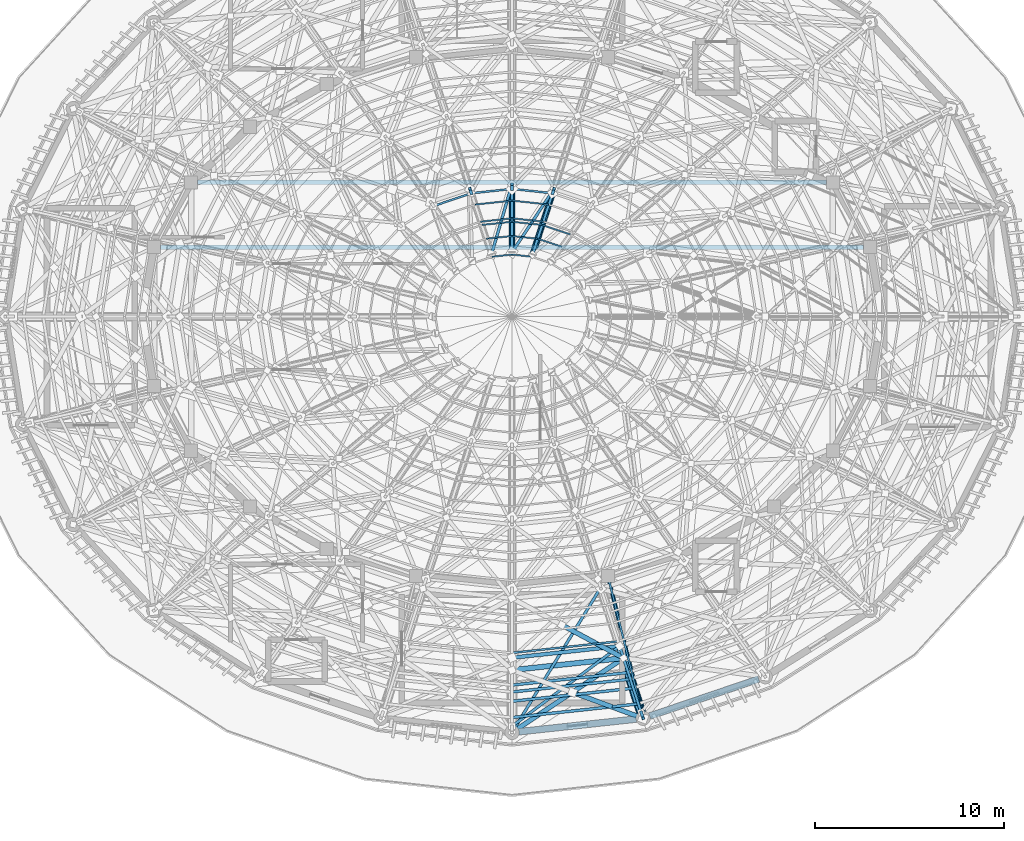
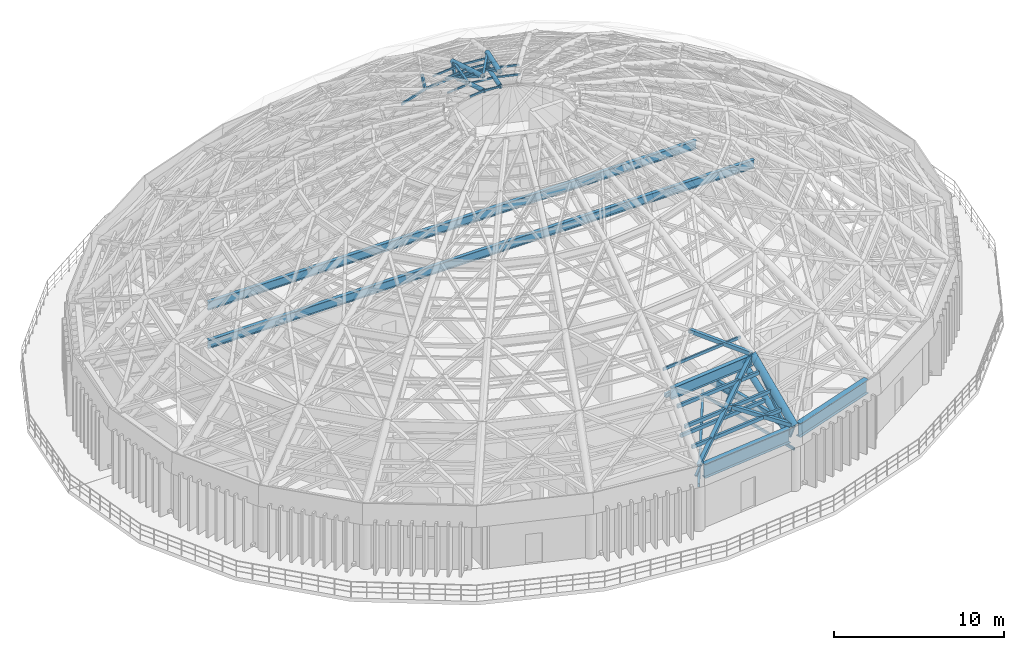
# One storey, part 14 of 50: 43 members, 6 beams.
"""IFC4 building model written with IfcOpenShell, lengths in metres."""

import ifcopenshell
import ifcopenshell.guid

model = None  # the IFC model being written
_history = None  # IfcOwnerHistory: only IFC2X3 demands one
_inside = {}  # id of a spatial element -> (the spatial element, [elements in it])
_under = {}  # id of a project, library or spatial element -> (it, [spatial elements below it])
_declared = {}  # id of a project -> (the project, [libraries it declares])
_typed = {}  # id of a type object -> (the type object, [elements of that type])
_made_of = {}  # id of a material, layer set ... -> (it, [elements and type objects made of it])


def new_model(schema):
    """Start an empty IFC model of exactly this schema.

    Asked for "IFC4X3", IfcOpenShell would pick the latest addendum, in which some entities
    have other attributes; the version numbers below select the first issue.
    IFC2X3 requires an IfcOwnerHistory on every rooted entity: one is made here for all.
    """
    global model, _history
    if schema == "IFC4X3":
        model = ifcopenshell.file(schema_version=(4, 3, 0, 0))
    else:
        model = ifcopenshell.file(schema=schema)
    _inside.clear()
    _under.clear()
    _declared.clear()
    _typed.clear()
    _made_of.clear()
    _history = None
    if model.schema == "IFC2X3":
        org = make("IfcOrganization", Name="unknown")
        user = make(
            "IfcPersonAndOrganization",
            ThePerson=make("IfcPerson", FamilyName="unknown"),
            TheOrganization=org,
        )
        app = make(
            "IfcApplication",
            ApplicationDeveloper=org,
            Version="unknown",
            ApplicationFullName="unknown",
            ApplicationIdentifier="unknown",
        )
        _history = make(
            "IfcOwnerHistory",
            OwningUser=user,
            OwningApplication=app,
            ChangeAction="ADDED",
            CreationDate=0,
        )
    return model


def make(cls, **values):
    """One entity of the class cls with the attributes given. An attribute that is None is left unset."""
    return model.create_entity(
        cls, **{name: value for name, value in values.items() if value is not None}
    )


def rooted(cls, **values):
    """An entity with a GlobalId (a new one), such as an element, a storey or a relation."""
    return make(cls, GlobalId=ifcopenshell.guid.new(), OwnerHistory=_history, **values)


def si_unit(unit_type, name, prefix=None):
    """IfcSIUnit, for example si_unit("LENGTHUNIT", "METRE", prefix="MILLI")."""
    return make("IfcSIUnit", UnitType=unit_type, Prefix=prefix, Name=name)


def assignment(units):
    """IfcUnitAssignment: the units of a project."""
    return None if units is None else make("IfcUnitAssignment", Units=units)


def point(xyz):
    """IfcCartesianPoint."""
    return None if xyz is None else make("IfcCartesianPoint", Coordinates=xyz)


def direction(xyz):
    """IfcDirection."""
    return None if xyz is None else make("IfcDirection", DirectionRatios=xyz)


def frame(location, z_axis=None, x_axis=None):
    """IfcAxis2Placement3D, a coordinate frame: its origin and axes. An axis left out is left unset."""
    return make(
        "IfcAxis2Placement3D",
        Location=point(location),
        Axis=direction(z_axis),
        RefDirection=direction(x_axis),
    )


def frame_2d(location, x_axis=None):
    """IfcAxis2Placement2D, a coordinate frame in the plane: its origin and x axis."""
    return make(
        "IfcAxis2Placement2D", Location=point(location), RefDirection=direction(x_axis)
    )


def origin():
    """The frame at (0, 0, 0) with its axes left unset."""
    return frame((0.0, 0.0, 0.0))


def origin_2d():
    """The frame at (0, 0) in the plane with its x axis left unset."""
    return frame_2d((0.0, 0.0))


def place(relative_to, where):
    """IfcLocalPlacement: puts the frame where relative to a parent placement (None: the world)."""
    return make(
        "IfcLocalPlacement", PlacementRelTo=relative_to, RelativePlacement=where
    )


def context(
    kind, dimensions, precision=None, world=None, true_north=None, identifier=None
):
    """IfcGeometricRepresentationContext, for example the 3D "Model" context."""
    return make(
        "IfcGeometricRepresentationContext",
        ContextIdentifier=identifier,
        ContextType=kind,
        CoordinateSpaceDimension=dimensions,
        Precision=precision,
        WorldCoordinateSystem=world,
        TrueNorth=true_north,
    )


def subcontext(parent, identifier, kind, view, scale=None):
    """IfcGeometricRepresentationSubContext, for example "Body" below "Model"."""
    return make(
        "IfcGeometricRepresentationSubContext",
        ContextIdentifier=identifier,
        ContextType=kind,
        ParentContext=parent,
        TargetScale=scale,
        TargetView=view,
    )


def project(units=None, contexts=None):
    """IfcProject with its units and contexts."""
    return rooted(
        "IfcProject",
        Name="project",
        RepresentationContexts=contexts,
        UnitsInContext=assignment(units),
    )


def spatial(cls, under=None, at=None, **own):
    """A site, building, storey or space (cls), placed at a placement, below another one or the project."""
    s = rooted(cls, ObjectPlacement=at, **own)
    if under is not None:
        _under.setdefault(under.id(), (under, []))[1].append(s)
    return s


def profile(cls, at=None, kind="AREA", **sizes):
    """A parametric profile (cls). Its sizes go by their IFC names, for example OverallWidth=200.0."""
    return make(cls, ProfileType=kind, Position=at, **sizes)


def hollow_rectangle(**sizes):
    """IfcRectangleHollowProfileDef."""
    return profile("IfcRectangleHollowProfileDef", **sizes)


def hollow_circle(**sizes):
    """IfcCircleHollowProfileDef."""
    return profile("IfcCircleHollowProfileDef", **sizes)


def i_section(**sizes):
    """IfcIShapeProfileDef."""
    return profile("IfcIShapeProfileDef", **sizes)


def extrude(swept, where, along, depth):
    """IfcExtrudedAreaSolid: the profile swept, set in the frame where, extruded along a direction by depth."""
    return make(
        "IfcExtrudedAreaSolid",
        SweptArea=swept,
        Position=where,
        ExtrudedDirection=direction(along),
        Depth=depth,
    )


def shape(context_of_items, identifier, shape_type, items):
    """IfcShapeRepresentation: the items that make up one representation, for example the "Body"."""
    return make(
        "IfcShapeRepresentation",
        ContextOfItems=context_of_items,
        RepresentationIdentifier=identifier,
        RepresentationType=shape_type,
        Items=items,
    )


def material(Name=None, Category=None):
    """IfcMaterial."""
    return make("IfcMaterial", Name=Name, Category=Category)


def material_profile(
    of_material, cross_section, Name=None, Category=None, Priority=None
):
    """IfcMaterialProfile: a cross section and its material."""
    return make(
        "IfcMaterialProfile",
        Name=Name,
        Material=of_material,
        Profile=cross_section,
        Priority=Priority,
        Category=Category,
    )


def profile_set(profiles, Name=None, composite=None):
    """IfcMaterialProfileSet."""
    return make(
        "IfcMaterialProfileSet",
        Name=Name,
        MaterialProfiles=profiles,
        CompositeProfile=composite,
    )


def made_of(thing, what):
    """Note that an element or type object is made of a material, layer set ...; save() writes the relation."""
    if what is not None:
        _made_of.setdefault(what.id(), (what, []))[1].append(thing)
    return thing


def type_object(cls, material=None, **own):
    """A type object (cls), such as IfcWallType, which elements share."""
    return made_of(rooted(cls, **own), material)


def element(
    cls,
    number,
    at=None,
    inside=None,
    cuts=None,
    type_object=None,
    material=None,
    context=None,
    identifier="Body",
    shape_type=None,
    held_by="IfcProductDefinitionShape",
    body=None,
    shapes=None,
    **own,
):
    """One element of the class cls, such as IfcWall. Its Tag is "e" and its number.

    at: its placement. inside: the storey or other place that contains it. cuts: it is an
    opening in that element (IfcRelVoidsElement). A single representation is given by context,
    identifier, shape_type and body (its items); several are given by shapes. held_by: the class
    of the entity that holds the representations. save() writes the other relations.
    """
    e = rooted(cls, Tag="e%d" % number, ObjectPlacement=at, **own)
    if body is not None:
        shapes = [shape(context, identifier, shape_type, body)]
    if shapes is not None:
        e.Representation = make(held_by, Representations=shapes)
    if inside is not None:
        _inside.setdefault(inside.id(), (inside, []))[1].append(e)
    if cuts is not None:
        rooted(
            "IfcRelVoidsElement", RelatingBuildingElement=cuts, RelatedOpeningElement=e
        )
    if type_object is not None:
        _typed.setdefault(type_object.id(), (type_object, []))[1].append(e)
    return made_of(e, material)


def aggregate(whole, parts):
    """IfcRelAggregates: a whole, such as a stair, and the parts it consists of."""
    return rooted("IfcRelAggregates", RelatingObject=whole, RelatedObjects=parts)


def save(model, path):
    """Write the relations noted so far, then the file.

    IfcRelAggregates (storeys below a building ...), IfcRelContainedInSpatialStructure (elements
    in a storey), IfcRelDefinesByType, IfcRelAssociatesMaterial and IfcRelDeclares: one each for
    every whole, place, type object, material and project.
    """
    for whole, parts in _under.values():
        aggregate(whole, parts)
    for where, things in _inside.values():
        rooted(
            "IfcRelContainedInSpatialStructure",
            RelatedElements=things,
            RelatingStructure=where,
        )
    for kind, things in _typed.values():
        rooted("IfcRelDefinesByType", RelatedObjects=things, RelatingType=kind)
    for what, things in _made_of.values():
        rooted("IfcRelAssociatesMaterial", RelatedObjects=things, RelatingMaterial=what)
    for by, libraries in _declared.values():
        rooted("IfcRelDeclares", RelatingContext=by, RelatedDefinitions=libraries)
    model.write(path)


model = new_model("IFC4")

# Units and contexts
model_context = context("Model", 3, precision=1e-05, world=origin(), true_north=direction((0.0, 1.0)))
body_context = subcontext(model_context, "Body", "Model", "MODEL_VIEW")
ifc_project = project(units=[si_unit("LENGTHUNIT", "METRE"), si_unit("AREAUNIT", "SQUARE_METRE"), si_unit("VOLUMEUNIT", "CUBIC_METRE"), si_unit("PLANEANGLEUNIT", "RADIAN"), si_unit("MASSUNIT", "GRAM", prefix="KILO")], contexts=[model_context])

# Site, building, storey
site_placement = place(None, origin())
site = spatial("IfcSite", under=ifc_project, at=site_placement, CompositionType="ELEMENT")
building_placement = place(site_placement, origin())
building = spatial("IfcBuilding", under=site, at=building_placement, Name="Cinderbank Siding Concert Hall", CompositionType="ELEMENT")
storey_placement = place(building_placement, frame((0.0, 0.0, 23.699951171875)))
storey = spatial("IfcBuildingStorey", under=building, at=storey_placement, Name="L06", CompositionType="ELEMENT", Elevation=23.699951171875)

# Beams
ifc_material_1 = material(Name="Structural steel AS/NZS 3679.1 Grade 350 (340 MPa)", Category="steel")
ifc_material_profile_1 = material_profile(ifc_material_1, i_section(OverallWidth=0.208984375, OverallDepth=0.532958984375, WebThickness=0.01025390625, FlangeThickness=0.015625, at=origin_2d()), Name="530UB92.4", Category="LoadBearing")
ifc_profile_set_1 = profile_set([ifc_material_profile_1], Name="Structural steel AS/NZS 3679.1 Grade 350 (340 MPa)")
beam_type_1 = type_object("IfcBeamType", Name="BM-UB530H 530UB92.4", PredefinedType="BEAM", material=ifc_profile_set_1)
beam_1_placement = place(storey_placement, frame((127.155029296875, 29.951904296875, 4.235595703125), z_axis=(0.240115631411, -0.970744293598, 0.0), x_axis=(0.970744293598, 0.240115631411, 0.0)))
element("IfcBeam", 1, at=beam_1_placement, inside=storey, type_object=beam_type_1, Name="L06 Beam BM-UB530H #850", PredefinedType="BEAM", context=body_context, shape_type="SweptSolid", body=[
    extrude(i_section(OverallWidth=0.208984375, OverallDepth=0.532958984375, WebThickness=0.01025390625, FlangeThickness=0.015625, at=origin_2d()), origin(), (0.0, 0.0, 1.0), 7.05224609375),
])
ifc_material_profile_2 = material_profile(ifc_material_1, i_section(OverallWidth=0.22900390625, OverallDepth=0.611572265625, WebThickness=0.011962890625, FlangeThickness=0.01953125, at=origin_2d()), Name="610UB125", Category="LoadBearing")
ifc_profile_set_2 = profile_set([ifc_material_profile_2], Name="Structural steel AS/NZS 3679.1 Grade 350 (340 MPa)")
beam_type_2 = type_object("IfcBeamType", Name="BM-UB610H 610UB125", PredefinedType="BEAM", material=ifc_profile_set_2)
beam_2_placement = place(storey_placement, frame((140.590087890625, 47.67529296875, 4.1962890625), z_axis=(-1.0, 0.0, 0.0), x_axis=(0.0, -1.0, 0.0)))
element("IfcBeam", 2, at=beam_2_placement, inside=storey, type_object=beam_type_2, Name="L06 Beam BM-UB610H #120", PredefinedType="BEAM", context=body_context, shape_type="SweptSolid", body=[
    extrude(i_section(OverallWidth=0.22900390625, OverallDepth=0.611572265625, WebThickness=0.011962890625, FlangeThickness=0.01953125, at=origin_2d()), origin(), (0.0, 0.0, 1.0), 37.18017578125),
])
beam_3_placement = place(storey_placement, frame((138.632080078125, 51.10009765625, 4.1962890625), z_axis=(-1.0, 0.0, 0.0), x_axis=(0.0, -1.0, 0.0)))
element("IfcBeam", 3, at=beam_3_placement, inside=storey, type_object=beam_type_2, Name="L06 Beam BM-UB610H #122", PredefinedType="BEAM", context=body_context, shape_type="SweptSolid", body=[
    extrude(i_section(OverallWidth=0.22900390625, OverallDepth=0.611572265625, WebThickness=0.011962890625, FlangeThickness=0.01953125, at=origin_2d()), origin(), (0.0, 0.0, 1.0), 33.26416015625),
])
ifc_material_2 = material(Name="Structural steel welded plate section AS/NZS 3679.2 / AS/NZS 3678 Grade 350 (340 MPa)", Category="steel")
ifc_material_profile_3 = material_profile(ifc_material_2, i_section(OverallWidth=0.35009765625, OverallDepth=1.0, WebThickness=0.013916015625, FlangeThickness=0.02490234375, at=origin_2d()), Name="1000WB258", Category="LoadBearing")
ifc_profile_set_3 = profile_set([ifc_material_profile_3], Name="Structural steel welded plate section AS/NZS 3679.2 / AS/NZS 3678 Grade 350 (340 MPa)")
beam_type_3 = type_object("IfcBeamType", Name="BM-WB1000 1000WB258", PredefinedType="BEAM", material=ifc_profile_set_3)
beam_4_placement = place(storey_placement, frame((122.364990234375, 22.039306640625, 4.0), z_axis=(0.994208402861, 0.107469305761, 0.0), x_axis=(-0.107469305761, 0.994208402861, 0.0)))
element("IfcBeam", 4, at=beam_4_placement, inside=storey, type_object=beam_type_3, Name="L06 Beam BM-WB1000 #833", PredefinedType="BEAM", context=body_context, shape_type="SweptSolid", body=[
    extrude(i_section(OverallWidth=0.35009765625, OverallDepth=1.0, WebThickness=0.013916015625, FlangeThickness=0.02490234375, at=origin_2d()), origin(), (0.0, 0.0, 1.0), 6.24267578125),
])
beam_5_placement = place(storey_placement, frame((129.283935546875, 22.86767578125, 4.0), z_axis=(0.946754669813, 0.321955890128, 0.0), x_axis=(-0.321955890128, 0.946754669813, 0.0)))
element("IfcBeam", 5, at=beam_5_placement, inside=storey, type_object=beam_type_3, Name="L06 Beam BM-WB1000 #834", PredefinedType="BEAM", context=body_context, shape_type="SweptSolid", body=[
    extrude(i_section(OverallWidth=0.35009765625, OverallDepth=1.0, WebThickness=0.013916015625, FlangeThickness=0.02490234375, at=origin_2d()), origin(), (0.0, 0.0, 1.0), 6.093017578125),
])
ifc_material_profile_4 = material_profile(ifc_material_2, i_section(OverallWidth=0.27490234375, OverallDepth=0.800048828125, WebThickness=0.010009765625, FlangeThickness=0.01611328125, at=origin_2d()), Name="800WB146", Category="LoadBearing")
ifc_profile_set_4 = profile_set([ifc_material_profile_4], Name="Structural steel welded plate section AS/NZS 3679.2 / AS/NZS 3678 Grade 350 (340 MPa)")
beam_type_4 = type_object("IfcBeamType", Name="BM-WB800 800WB146", PredefinedType="BEAM", material=ifc_profile_set_4)
beam_6_placement = place(storey_placement, frame((122.0, 25.300048828125, 7.699951171875), z_axis=(0.99422058231, 0.107356572745, 0.0), x_axis=(-0.107356572745, 0.99422058231, 0.0)))
element("IfcBeam", 6, at=beam_6_placement, inside=storey, type_object=beam_type_4, Name="L06 Beam BM-WB800 #2051", PredefinedType="BEAM", context=body_context, shape_type="SweptSolid", body=[
    extrude(i_section(OverallWidth=0.27490234375, OverallDepth=0.800048828125, WebThickness=0.010009765625, FlangeThickness=0.01611328125, at=origin_2d()), origin(), (0.0, 0.0, 1.0), 5.935546875),
])

# Members
ifc_material_3 = material(Name="Structural steel hollow section AS/NZS 1163 Grade C350L0 (350 MPa)", Category="steel")
ifc_material_profile_5 = material_profile(ifc_material_3, hollow_rectangle(XDim=0.14990234375, YDim=0.14990234375, WallThickness=0.008056640625, at=origin_2d()), Name="150x150x8.0SHS", Category="LoadBearing")
ifc_profile_set_5 = profile_set([ifc_material_profile_5], Name="Structural steel hollow section AS/NZS 1163 Grade C350L0 (350 MPa)")
member_type_1 = type_object("IfcMemberType", Name="BR-SHS150 150x150x8.0SHS Roof Truss", PredefinedType="BRACE", material=ifc_profile_set_5)
member_1_placement = place(storey_placement, frame((122.0, 22.330078125, 3.550048828125), z_axis=(0.715407116246, 0.532575741329, 0.452278385259), x_axis=(-0.597140467526, 0.802136685386, 0.0)))
element("IfcMember", 7, at=member_1_placement, inside=storey, type_object=member_type_1, Name="L06 Diagonal Brace BR-SHS150 #DBRI-BR-SHS150-L06-0755", PredefinedType="BRACE", context=body_context, shape_type="SweptSolid", body=[
    extrude(hollow_rectangle(XDim=0.14990234375, YDim=0.14990234375, WallThickness=0.008056640625, at=origin_2d()), origin(), (0.0, 0.0, 1.0), 7.9599609375),
])
member_2_placement = place(storey_placement, frame((128.832275390625, 23.068359375, 3.550048828125), z_axis=(-0.170572320139, 0.525536270045, 0.83349667814), x_axis=(-0.951154746371, -0.30871450963, 0.0)))
element("IfcMember", 8, at=member_2_placement, inside=storey, type_object=member_type_1, Name="L06 Diagonal Brace BR-SHS150 #DWBD-BR-SHS150-L06-0758", PredefinedType="BRACE", context=body_context, shape_type="SweptSolid", body=[
    extrude(hollow_rectangle(XDim=0.14990234375, YDim=0.14990234375, WallThickness=0.008056640625, at=origin_2d()), origin(), (0.0, 0.0, 1.0), 5.458984375),
])
member_3_placement = place(storey_placement, frame((128.832275390625, 23.068359375, 3.550048828125), z_axis=(0.103238246716, -0.316500352609, 0.94295778867), x_axis=(0.950701849516, 0.310106422583, 0.0)))
element("IfcMember", 9, at=member_3_placement, inside=storey, type_object=member_type_1, Name="L06 Diagonal Brace BR-SHS150 #DWBV-BR-SHS150-L06-0761", PredefinedType="BRACE", context=body_context, shape_type="SweptSolid", body=[
    extrude(hollow_rectangle(XDim=0.14990234375, YDim=0.14990234375, WallThickness=0.008056640625, at=origin_2d()), origin(), (0.0, 0.0, 1.0), 1.00732421875),
])
member_4_placement = place(storey_placement, frame((127.694580078125, 26.5693359375, 7.150146484375), z_axis=(0.178120981918, -0.545100735444, 0.819230189885), x_axis=(0.950539108206, 0.310604899785, 0.0)))
element("IfcMember", 10, at=member_4_placement, inside=storey, type_object=member_type_1, Name="L06 Diagonal Brace BR-SHS150 #DWBV-BR-SHS150-L06-1049", PredefinedType="BRACE", context=body_context, shape_type="SweptSolid", body=[
    extrude(hollow_rectangle(XDim=0.14990234375, YDim=0.14990234375, WallThickness=0.008056640625, at=origin_2d()), origin(), (0.0, 0.0, 1.0), 1.15966796875),
])
member_5_placement = place(storey_placement, frame((124.14794921875, 50.52490234375, 15.050048828125), z_axis=(-0.266672743613, -0.814499309414, 0.515244139005), x_axis=(0.950359410933, -0.311154286569, 0.0)))
element("IfcMember", 11, at=member_5_placement, inside=storey, type_object=member_type_1, Name="L06 Diagonal Brace BR-SHS150 #DWBD-BR-SHS150-L06-1732", PredefinedType="BRACE", context=body_context, shape_type="SweptSolid", body=[
    extrude(hollow_rectangle(XDim=0.14990234375, YDim=0.14990234375, WallThickness=0.008056640625, at=origin_2d()), origin(), (0.0, 0.0, 1.0), 3.978759765625),
])
member_6_placement = place(storey_placement, frame((124.14794921875, 50.52490234375, 15.050048828125), z_axis=(0.079303678381, 0.240894245615, 0.967305995549), x_axis=(-0.949853023351, 0.312696712537, 0.0)))
element("IfcMember", 12, at=member_6_placement, inside=storey, type_object=member_type_1, Name="L06 Diagonal Brace BR-SHS150 #DWBV-BR-SHS150-L06-1735", PredefinedType="BRACE", context=body_context, shape_type="SweptSolid", body=[
    extrude(hollow_rectangle(XDim=0.14990234375, YDim=0.14990234375, WallThickness=0.008056640625, at=origin_2d()), origin(), (0.0, 0.0, 1.0), 0.982177734375),
])
member_7_placement = place(storey_placement, frame((124.225830078125, 50.761474609375, 16.0), z_axis=(-0.532612568878, -0.804381096949, 0.263239249245), x_axis=(0.833788325129, -0.552084258857, 0.0)))
element("IfcMember", 13, at=member_7_placement, inside=storey, type_object=member_type_1, Name="L06 Diagonal Brace BR-SHS150 #DBRO-BR-SHS150-L06-1739", PredefinedType="BRACE", context=body_context, shape_type="SweptSolid", body=[
    extrude(hollow_rectangle(XDim=0.14990234375, YDim=0.14990234375, WallThickness=0.008056640625, at=origin_2d()), origin(), (0.0, 0.0, 1.0), 4.17919921875),
])
member_8_placement = place(storey_placement, frame((122.0, 50.7548828125, 15.050048828125), z_axis=(0.0, -0.853306391538, 0.521409821696), x_axis=(1.0, 0.0, 0.0)))
element("IfcMember", 14, at=member_8_placement, inside=storey, type_object=member_type_1, Name="L06 Diagonal Brace BR-SHS150 #DWBD-BR-SHS150-L06-1742", PredefinedType="BRACE", context=body_context, shape_type="SweptSolid", body=[
    extrude(hollow_rectangle(XDim=0.14990234375, YDim=0.14990234375, WallThickness=0.008056640625, at=origin_2d()), origin(), (0.0, 0.0, 1.0), 3.931640625),
])
member_9_placement = place(storey_placement, frame((122.0, 50.7548828125, 15.050048828125), z_axis=(0.0, 0.249847913818, 0.968285092295), x_axis=(-1.0, 0.0, 0.0)))
element("IfcMember", 15, at=member_9_placement, inside=storey, type_object=member_type_1, Name="L06 Diagonal Brace BR-SHS150 #DWBV-BR-SHS150-L06-1745", PredefinedType="BRACE", context=body_context, shape_type="SweptSolid", body=[
    extrude(hollow_rectangle(XDim=0.14990234375, YDim=0.14990234375, WallThickness=0.008056640625, at=origin_2d()), origin(), (0.0, 0.0, 1.0), 0.98095703125),
])
member_10_placement = place(storey_placement, frame((122.0, 51.0, 16.0), z_axis=(-0.270054991699, -0.923233821576, 0.273330591329), x_axis=(0.959782176469, -0.280745745706, 0.0)))
element("IfcMember", 16, at=member_10_placement, inside=storey, type_object=member_type_1, Name="L06 Diagonal Brace BR-SHS150 #DBRO-BR-SHS150-L06-1749", PredefinedType="BRACE", context=body_context, shape_type="SweptSolid", body=[
    extrude(hollow_rectangle(XDim=0.14990234375, YDim=0.14990234375, WallThickness=0.008056640625, at=origin_2d()), origin(), (0.0, 0.0, 1.0), 4.02490234375),
])
member_11_placement = place(storey_placement, frame((119.85205078125, 50.52490234375, 15.050048828125), z_axis=(-0.079303678381, 0.240894245615, 0.967305995549), x_axis=(-0.949853023351, -0.312696712537, 0.0)))
element("IfcMember", 17, at=member_11_placement, inside=storey, type_object=member_type_1, Name="L06 Diagonal Brace BR-SHS150 #DWBV-BR-SHS150-L06-1755", PredefinedType="BRACE", context=body_context, shape_type="SweptSolid", body=[
    extrude(hollow_rectangle(XDim=0.14990234375, YDim=0.14990234375, WallThickness=0.008056640625, at=origin_2d()), origin(), (0.0, 0.0, 1.0), 0.982177734375),
])
ifc_material_profile_6 = material_profile(ifc_material_3, hollow_rectangle(XDim=0.25, YDim=0.25, WallThickness=0.010009765625, at=origin_2d()), Name="250x250x10.0SHS", Category="LoadBearing")
ifc_profile_set_6 = profile_set([ifc_material_profile_6], Name="Structural steel hollow section AS/NZS 1163 Grade C350L0 (350 MPa)")
member_type_2 = type_object("IfcMemberType", Name="BR-SHS250 250x250x10.0SHS Roof Truss", PredefinedType="BRACE", material=ifc_profile_set_6)
member_12_placement = place(storey_placement, frame((122.0, 22.0, 4.5), z_axis=(0.741790133726, 0.494925716214, 0.452543846425), x_axis=(-0.555009892338, 0.83184374699, 0.0)))
element("IfcMember", 18, at=member_12_placement, inside=storey, type_object=member_type_2, Name="L06 Diagonal Brace BR-SHS250 #DBRO-BR-SHS250-L06-0753", PredefinedType="BRACE", context=body_context, shape_type="SweptSolid", body=[
    extrude(hollow_rectangle(XDim=0.25, YDim=0.25, WallThickness=0.010009765625, at=origin_2d()), origin(), (0.0, 0.0, 1.0), 7.955322265625),
])
member_13_placement = place(storey_placement, frame((128.936279296875, 22.74951171875, 4.5), z_axis=(-0.843774113681, 0.310251626974, 0.437937407676), x_axis=(-0.345105384659, -0.938563942137, 0.0)))
element("IfcMember", 19, at=member_13_placement, inside=storey, type_object=member_type_2, Name="L06 Diagonal Brace BR-SHS250 #DBRO-BR-SHS250-L06-0754", PredefinedType="BRACE", context=body_context, shape_type="SweptSolid", body=[
    extrude(hollow_rectangle(XDim=0.25, YDim=0.25, WallThickness=0.010009765625, at=origin_2d()), origin(), (0.0, 0.0, 1.0), 4.42626953125),
])
member_14_placement = place(storey_placement, frame((127.901123046875, 25.937255859375, 8.10009765625), z_axis=(-0.795240941635, 0.426183112165, 0.431230564378), x_axis=(-0.472360213486, -0.881405598301, 0.0)))
element("IfcMember", 20, at=member_14_placement, inside=storey, type_object=member_type_2, Name="L06 Diagonal Brace BR-SHS250 #DBRO-BR-SHS250-L06-1042", PredefinedType="BRACE", context=body_context, shape_type="SweptSolid", body=[
    extrude(hollow_rectangle(XDim=0.25, YDim=0.25, WallThickness=0.010009765625, at=origin_2d()), origin(), (0.0, 0.0, 1.0), 4.111328125),
])
ifc_material_profile_7 = material_profile(ifc_material_3, hollow_circle(Radius=0.136474609375, WallThickness=0.00927734375, at=origin_2d()), Name="273.1x9.3CHS", Category="LoadBearing")
ifc_profile_set_7 = profile_set([ifc_material_profile_7], Name="Structural steel hollow section AS/NZS 1163 Grade C350L0 (350 MPa)")
member_type_3 = type_object("IfcMemberType", Name="DR-CHS273 273.1x9.3CHS Roof Truss", PredefinedType="RAFTER", material=ifc_profile_set_7)
member_15_placement = place(storey_placement, frame((124.14794921875, 50.52490234375, 15.050048828125), z_axis=(-0.297118000487, -0.90732879731, 0.297448058252), x_axis=(0.950343230625, -0.311203701786, 0.0)))
element("IfcMember", 21, at=member_15_placement, inside=storey, type_object=member_type_3, Name="L06 Roof Truss Member DR-CHS273 #1731", PredefinedType="RAFTER", context=body_context, shape_type="SweptSolid", body=[
    extrude(hollow_circle(Radius=0.136474609375, WallThickness=0.00927734375, at=origin_2d()), origin(), (0.0, 0.0, 1.0), 3.698486328125),
])
member_16_placement = place(storey_placement, frame((122.0, 50.7548828125, 15.050048828125), z_axis=(0.0, -0.953339332867, 0.301900838702), x_axis=(1.0, 0.0, 0.0)))
element("IfcMember", 22, at=member_16_placement, inside=storey, type_object=member_type_3, Name="L06 Roof Truss Member DR-CHS273 #1741", PredefinedType="RAFTER", context=body_context, shape_type="SweptSolid", body=[
    extrude(hollow_circle(Radius=0.136474609375, WallThickness=0.00927734375, at=origin_2d()), origin(), (0.0, 0.0, 1.0), 3.643798828125),
])
ifc_material_profile_8 = material_profile(ifc_material_3, hollow_circle(Radius=0.161865234375, WallThickness=0.0126953125, at=origin_2d()), Name="323.9x12.7CHS", Category="LoadBearing")
ifc_profile_set_8 = profile_set([ifc_material_profile_8], Name="Structural steel hollow section AS/NZS 1163 Grade C350L0 (350 MPa)")
member_type_4 = type_object("IfcMemberType", Name="DR-CHS323 323.9x12.7CHS Roof Truss", PredefinedType="RAFTER", material=ifc_profile_set_8)
member_17_placement = place(storey_placement, frame((124.225830078125, 50.761474609375, 16.0), z_axis=(-0.298079462392, -0.910089564814, 0.287898624723), x_axis=(0.950325499871, -0.311257842141, 0.0)))
element("IfcMember", 23, at=member_17_placement, inside=storey, type_object=member_type_4, Name="L06 Roof Truss Member DR-CHS323 #1730", PredefinedType="RAFTER", context=body_context, shape_type="SweptSolid", body=[
    extrude(hollow_circle(Radius=0.161865234375, WallThickness=0.0126953125, at=origin_2d()), origin(), (0.0, 0.0, 1.0), 3.788818359375),
])
member_18_placement = place(storey_placement, frame((122.0, 51.0, 16.0), z_axis=(0.0, -0.956355633379, 0.292205240377), x_axis=(1.0, 0.0, 0.0)))
element("IfcMember", 24, at=member_18_placement, inside=storey, type_object=member_type_4, Name="L06 Roof Truss Member DR-CHS323 #1740", PredefinedType="RAFTER", context=body_context, shape_type="SweptSolid", body=[
    extrude(hollow_circle(Radius=0.161865234375, WallThickness=0.0126953125, at=origin_2d()), origin(), (0.0, 0.0, 1.0), 3.732177734375),
])
ifc_material_profile_9 = material_profile(ifc_material_3, hollow_circle(Radius=0.203125, WallThickness=0.01611328125, at=origin_2d()), Name="406.4x16.0CHS", Category="LoadBearing")
ifc_profile_set_9 = profile_set([ifc_material_profile_9], Name="Structural steel hollow section AS/NZS 1163 Grade C350L0 (350 MPa)")
member_type_5 = type_object("IfcMemberType", Name="DR-CHS406 406.4x16.0CHS Roof Truss", PredefinedType="RAFTER", material=ifc_profile_set_9)
member_19_placement = place(storey_placement, frame((128.832275390625, 23.068359375, 3.550048828125), z_axis=(-0.220955908226, 0.679937279819, 0.699187944785), x_axis=(-0.95104381584, -0.309056079624, 0.0)))
element("IfcMember", 25, at=member_19_placement, inside=storey, type_object=member_type_5, Name="L06 Roof Truss Member DR-CHS406 #757", PredefinedType="RAFTER", context=body_context, shape_type="SweptSolid", body=[
    extrude(hollow_circle(Radius=0.203125, WallThickness=0.01611328125, at=origin_2d()), origin(), (0.0, 0.0, 1.0), 5.14892578125),
])
ifc_material_profile_10 = material_profile(ifc_material_3, hollow_circle(Radius=0.25390625, WallThickness=0.01611328125, at=origin_2d()), Name="508.0x16.0CHS", Category="LoadBearing")
ifc_profile_set_10 = profile_set([ifc_material_profile_10], Name="Structural steel hollow section AS/NZS 1163 Grade C350L0 (350 MPa)")
member_type_6 = type_object("IfcMemberType", Name="DR-CHS508 508.0x16.0CHS Roof Truss", PredefinedType="RAFTER", material=ifc_profile_set_10)
member_20_placement = place(storey_placement, frame((128.936279296875, 22.74951171875, 4.5), z_axis=(-0.210451677028, 0.64808196862, 0.731915195625), x_axis=(-0.951109518613, -0.308853822388, 0.0)))
element("IfcMember", 26, at=member_20_placement, inside=storey, type_object=member_type_6, Name="L06 Roof Truss Member DR-CHS508 #756", PredefinedType="RAFTER", context=body_context, shape_type="SweptSolid", body=[
    extrude(hollow_circle(Radius=0.25390625, WallThickness=0.01611328125, at=origin_2d()), origin(), (0.0, 0.0, 1.0), 4.918701171875),
])
ifc_material_profile_11 = material_profile(ifc_material_3, hollow_rectangle(XDim=0.074951171875, YDim=0.125, WallThickness=0.0048828125, at=origin_2d()), Name="125x75x5.0RHS", Category="LoadBearing")
ifc_profile_set_11 = profile_set([ifc_material_profile_11], Name="Structural steel hollow section AS/NZS 1163 Grade C350L0 (350 MPa)")
member_type_7 = type_object("IfcMemberType", Name="PR-RHS125 125x75x5.0RHS Roof Truss", PredefinedType="PURLIN", material=ifc_profile_set_11)
member_21_placement = place(storey_placement, frame((125.087890625, 48.345703125, 15.60009765625), z_axis=(-0.947778428506, 0.318929538391, 0.0), x_axis=(-0.318929538391, -0.947778428506, 0.0)))
element("IfcMember", 27, at=member_21_placement, inside=storey, type_object=member_type_7, Name="L06 Roof Truss Member PR-RHS125 #1724", PredefinedType="PURLIN", context=body_context, shape_type="SweptSolid", body=[
    extrude(hollow_rectangle(XDim=0.074951171875, YDim=0.125, WallThickness=0.0048828125, at=origin_2d()), origin(), (0.0, 0.0, 1.0), 1.571533203125),
])
member_22_placement = place(storey_placement, frame((124.6279296875, 47.692626953125, 16.8359375), z_axis=(-0.947895330421, 0.318581924419, 0.0), x_axis=(-0.318581924419, -0.947895330421, 0.0)))
element("IfcMember", 28, at=member_22_placement, inside=storey, type_object=member_type_7, Name="L06 Roof Truss Member PR-RHS125 #1728", PredefinedType="PURLIN", context=body_context, shape_type="SweptSolid", body=[
    extrude(hollow_rectangle(XDim=0.074951171875, YDim=0.125, WallThickness=0.0048828125, at=origin_2d()), origin(), (0.0, 0.0, 1.0), 1.337158203125),
])
member_23_placement = place(storey_placement, frame((123.049072265625, 47.169189453125, 16.150146484375), z_axis=(-0.994367658142, 0.105985661491, 0.0), x_axis=(-0.105985661491, -0.994367658142, 0.0)))
element("IfcMember", 29, at=member_23_placement, inside=storey, type_object=member_type_7, Name="L06 Roof Truss Member PR-RHS125 #1733", PredefinedType="PURLIN", context=body_context, shape_type="SweptSolid", body=[
    extrude(hollow_rectangle(XDim=0.074951171875, YDim=0.125, WallThickness=0.0048828125, at=origin_2d()), origin(), (0.0, 0.0, 1.0), 1.054931640625),
])
member_24_placement = place(storey_placement, frame((123.598388671875, 48.846923828125, 15.60009765625), z_axis=(-0.994316620671, 0.106463410889, 0.0), x_axis=(-0.106463410889, -0.994316620671, 0.0)))
element("IfcMember", 30, at=member_24_placement, inside=storey, type_object=member_type_7, Name="L06 Roof Truss Member PR-RHS125 #1734", PredefinedType="PURLIN", context=body_context, shape_type="SweptSolid", body=[
    extrude(hollow_rectangle(XDim=0.074951171875, YDim=0.125, WallThickness=0.0048828125, at=origin_2d()), origin(), (0.0, 0.0, 1.0), 1.607421875),
])
member_25_placement = place(storey_placement, frame((123.952392578125, 49.927001953125, 16.26416015625), z_axis=(-0.99431996749, 0.106432148577, 0.0), x_axis=(-0.106432148577, -0.99431996749, 0.0)))
element("IfcMember", 31, at=member_25_placement, inside=storey, type_object=member_type_7, Name="L06 Roof Truss Member PR-RHS125 #1736", PredefinedType="PURLIN", context=body_context, shape_type="SweptSolid", body=[
    extrude(hollow_rectangle(XDim=0.074951171875, YDim=0.125, WallThickness=0.0048828125, at=origin_2d()), origin(), (0.0, 0.0, 1.0), 1.963623046875),
])
member_26_placement = place(storey_placement, frame((123.656494140625, 49.022705078125, 16.550048828125), z_axis=(-0.994324113007, 0.106393412829, 0.0), x_axis=(-0.106393412829, -0.994324113007, 0.0)))
element("IfcMember", 32, at=member_26_placement, inside=storey, type_object=member_type_7, Name="L06 Roof Truss Member PR-RHS125 #1737", PredefinedType="PURLIN", context=body_context, shape_type="SweptSolid", body=[
    extrude(hollow_rectangle(XDim=0.074951171875, YDim=0.125, WallThickness=0.0048828125, at=origin_2d()), origin(), (0.0, 0.0, 1.0), 1.666015625),
])
member_27_placement = place(storey_placement, frame((123.3603515625, 48.11865234375, 16.8359375), z_axis=(-0.994346897499, 0.106180259155, 0.0), x_axis=(-0.106180259155, -0.994346897499, 0.0)))
element("IfcMember", 33, at=member_27_placement, inside=storey, type_object=member_type_7, Name="L06 Roof Truss Member PR-RHS125 #1738", PredefinedType="PURLIN", context=body_context, shape_type="SweptSolid", body=[
    extrude(hollow_rectangle(XDim=0.074951171875, YDim=0.125, WallThickness=0.0048828125, at=origin_2d()), origin(), (0.0, 0.0, 1.0), 1.3681640625),
])
member_28_placement = place(storey_placement, frame((122.0, 47.281005859375, 16.150146484375), z_axis=(-0.994367658142, -0.105985661491, 0.0), x_axis=(0.105985661491, -0.994367658142, 0.0)))
element("IfcMember", 34, at=member_28_placement, inside=storey, type_object=member_type_7, Name="L06 Roof Truss Member PR-RHS125 #1743", PredefinedType="PURLIN", context=body_context, shape_type="SweptSolid", body=[
    extrude(hollow_rectangle(XDim=0.074951171875, YDim=0.125, WallThickness=0.0048828125, at=origin_2d()), origin(), (0.0, 0.0, 1.0), 1.054931640625),
])
member_29_placement = place(storey_placement, frame((122.0, 49.01806640625, 15.60009765625), z_axis=(-0.994316620671, -0.106463410889, 0.0), x_axis=(0.106463410889, -0.994316620671, 0.0)))
element("IfcMember", 35, at=member_29_placement, inside=storey, type_object=member_type_7, Name="L06 Roof Truss Member PR-RHS125 #1744", PredefinedType="PURLIN", context=body_context, shape_type="SweptSolid", body=[
    extrude(hollow_rectangle(XDim=0.074951171875, YDim=0.125, WallThickness=0.0048828125, at=origin_2d()), origin(), (0.0, 0.0, 1.0), 1.607421875),
])
member_30_placement = place(storey_placement, frame((122.0, 50.135986328125, 16.26416015625), z_axis=(-0.99431996749, -0.106432148577, 0.0), x_axis=(0.106432148577, -0.99431996749, 0.0)))
element("IfcMember", 36, at=member_30_placement, inside=storey, type_object=member_type_7, Name="L06 Roof Truss Member PR-RHS125 #1746", PredefinedType="PURLIN", context=body_context, shape_type="SweptSolid", body=[
    extrude(hollow_rectangle(XDim=0.074951171875, YDim=0.125, WallThickness=0.0048828125, at=origin_2d()), origin(), (0.0, 0.0, 1.0), 1.963623046875),
])
member_31_placement = place(storey_placement, frame((122.0, 49.199951171875, 16.550048828125), z_axis=(-0.994324113007, -0.106393412829, 0.0), x_axis=(0.106393412829, -0.994324113007, 0.0)))
element("IfcMember", 37, at=member_31_placement, inside=storey, type_object=member_type_7, Name="L06 Roof Truss Member PR-RHS125 #1747", PredefinedType="PURLIN", context=body_context, shape_type="SweptSolid", body=[
    extrude(hollow_rectangle(XDim=0.074951171875, YDim=0.125, WallThickness=0.0048828125, at=origin_2d()), origin(), (0.0, 0.0, 1.0), 1.666015625),
])
member_32_placement = place(storey_placement, frame((122.0, 48.263916015625, 16.8359375), z_axis=(-0.994346897499, -0.106180259155, 0.0), x_axis=(0.106180259155, -0.994346897499, 0.0)))
element("IfcMember", 38, at=member_32_placement, inside=storey, type_object=member_type_7, Name="L06 Roof Truss Member PR-RHS125 #1748", PredefinedType="PURLIN", context=body_context, shape_type="SweptSolid", body=[
    extrude(hollow_rectangle(XDim=0.074951171875, YDim=0.125, WallThickness=0.0048828125, at=origin_2d()), origin(), (0.0, 0.0, 1.0), 1.3681640625),
])
ifc_material_profile_12 = material_profile(ifc_material_3, hollow_rectangle(XDim=0.10009765625, YDim=0.14990234375, WallThickness=0.006103515625, at=origin_2d()), Name="150x100x6.0RHS", Category="LoadBearing")
ifc_profile_set_12 = profile_set([ifc_material_profile_12], Name="Structural steel hollow section AS/NZS 1163 Grade C350L0 (350 MPa)")
member_type_8 = type_object("IfcMemberType", Name="PR-RHS150 150x100x6.0RHS Roof Truss", PredefinedType="PURLIN", material=ifc_profile_set_12)
for number, where, z_axis, x_axis, name in (
    (39, (124.14794921875, 50.52490234375, 15.050048828125), (-0.994316847261, 0.106461294626, 0.0), (-0.106461294626, -0.994316847261, 0.0), "L06 Roof Truss Member PR-RHS150 #1455"),
    (40, (122.0, 50.7548828125, 15.050048828125), (-0.994316847261, -0.106461294626, 0.0), (0.106461294626, -0.994316847261, 0.0), "L06 Roof Truss Member PR-RHS150 #1467"),
):
    element("IfcMember", number, at=place(storey_placement, frame(where, z_axis=z_axis, x_axis=x_axis)), inside=storey, type_object=member_type_8, Name=name, PredefinedType="PURLIN", context=body_context, shape_type="SweptSolid", body=[
        extrude(hollow_rectangle(XDim=0.10009765625, YDim=0.14990234375, WallThickness=0.006103515625, at=origin_2d()), origin(), (0.0, 0.0, 1.0), 2.16015625),
    ])
member_33_placement = place(storey_placement, frame((119.85205078125, 50.52490234375, 15.050048828125), z_axis=(-0.94759117017, -0.319485483575, 0.0), x_axis=(0.319485483575, -0.94759117017, 0.0)))
element("IfcMember", 41, at=member_33_placement, inside=storey, type_object=member_type_8, Name="L06 Roof Truss Member PR-RHS150 #1479", PredefinedType="PURLIN", context=body_context, shape_type="SweptSolid", body=[
    extrude(hollow_rectangle(XDim=0.10009765625, YDim=0.14990234375, WallThickness=0.006103515625, at=origin_2d()), origin(), (0.0, 0.0, 1.0), 2.112060546875),
])
ifc_material_profile_13 = material_profile(ifc_material_3, hollow_rectangle(XDim=0.10009765625, YDim=0.199951171875, WallThickness=0.008056640625, at=origin_2d()), Name="200x100x8.0RHS", Category="LoadBearing")
ifc_profile_set_13 = profile_set([ifc_material_profile_13], Name="Structural steel hollow section AS/NZS 1163 Grade C350L0 (350 MPa)")
member_type_9 = type_object("IfcMemberType", Name="PR-RHS200 200x100x8.0RHS Roof Truss", PredefinedType="PURLIN", material=ifc_profile_set_13)
member_34_placement = place(storey_placement, frame((122.0, 26.2119140625, 8.8681640625), z_axis=(0.994223639187, 0.107328259471, 0.0), x_axis=(-0.107328259471, 0.994223639187, 0.0)))
element("IfcMember", 42, at=member_34_placement, inside=storey, type_object=member_type_9, Name="L06 Roof Truss Member PR-RHS200 #1038", PredefinedType="PURLIN", context=body_context, shape_type="SweptSolid", body=[
    extrude(hollow_rectangle(XDim=0.10009765625, YDim=0.199951171875, WallThickness=0.008056640625, at=origin_2d()), origin(), (0.0, 0.0, 1.0), 5.648193359375),
])
member_35_placement = place(storey_placement, frame((127.072998046875, 30.283935546875, 2.81005859375), z_axis=(0.240070192761, -0.970755531814, 0.0), x_axis=(0.970755531814, 0.240070192761, 0.0)))
element("IfcMember", 43, at=member_35_placement, inside=storey, type_object=member_type_9, Name="L06 Roof Truss Member PR-RHS200 #2365", PredefinedType="PURLIN", context=body_context, shape_type="SweptSolid", body=[
    extrude(hollow_rectangle(XDim=0.10009765625, YDim=0.199951171875, WallThickness=0.008056640625, at=origin_2d()), origin(), (0.0, 0.0, 1.0), 7.761474609375),
])
ifc_material_profile_14 = material_profile(ifc_material_3, hollow_rectangle(XDim=0.14990234375, YDim=0.25, WallThickness=0.009033203125, at=origin_2d()), Name="250x150x9.0RHS", Category="LoadBearing")
ifc_profile_set_14 = profile_set([ifc_material_profile_14], Name="Structural steel hollow section AS/NZS 1163 Grade C350L0 (350 MPa)")
member_type_10 = type_object("IfcMemberType", Name="PR-RHS250 250x150x9.0RHS Roof Truss", PredefinedType="PURLIN", material=ifc_profile_set_14)
member_36_placement = place(storey_placement, frame((122.0, 24.14208984375, 5.35009765625), z_axis=(0.994213313541, 0.107423866893, 0.0), x_axis=(-0.107423866893, 0.994213313541, 0.0)))
element("IfcMember", 44, at=member_36_placement, inside=storey, type_object=member_type_10, Name="L06 Roof Truss Member PR-RHS250 #748", PredefinedType="PURLIN", context=body_context, shape_type="SweptSolid", body=[
    extrude(hollow_rectangle(XDim=0.14990234375, YDim=0.25, WallThickness=0.009033203125, at=origin_2d()), origin(), (0.0, 0.0, 1.0), 6.2998046875),
])
member_37_placement = place(storey_placement, frame((122.0, 22.7919921875, 5.364013671875), z_axis=(0.994212915868, 0.107427547309, 0.0), x_axis=(-0.107427547309, 0.994212915868, 0.0)))
element("IfcMember", 45, at=member_37_placement, inside=storey, type_object=member_type_10, Name="L06 Roof Truss Member PR-RHS250 #750", PredefinedType="PURLIN", context=body_context, shape_type="SweptSolid", body=[
    extrude(hollow_rectangle(XDim=0.14990234375, YDim=0.25, WallThickness=0.009033203125, at=origin_2d()), origin(), (0.0, 0.0, 1.0), 6.726806640625),
])
member_38_placement = place(storey_placement, frame((122.0, 23.64990234375, 6.300048828125), z_axis=(0.994212179536, 0.107434361647, 0.0), x_axis=(-0.107434361647, 0.994212179536, 0.0)))
element("IfcMember", 46, at=member_38_placement, inside=storey, type_object=member_type_10, Name="L06 Roof Truss Member PR-RHS250 #751", PredefinedType="PURLIN", context=body_context, shape_type="SweptSolid", body=[
    extrude(hollow_rectangle(XDim=0.14990234375, YDim=0.25, WallThickness=0.009033203125, at=origin_2d()), origin(), (0.0, 0.0, 1.0), 6.4560546875),
])
member_39_placement = place(storey_placement, frame((122.0, 24.508056640625, 7.236083984375), z_axis=(0.994220263343, 0.10735952663, 0.0), x_axis=(-0.10735952663, 0.994220263343, 0.0)))
element("IfcMember", 47, at=member_39_placement, inside=storey, type_object=member_type_10, Name="L06 Roof Truss Member PR-RHS250 #752", PredefinedType="PURLIN", context=body_context, shape_type="SweptSolid", body=[
    extrude(hollow_rectangle(XDim=0.14990234375, YDim=0.25, WallThickness=0.009033203125, at=origin_2d()), origin(), (0.0, 0.0, 1.0), 6.185302734375),
])
ifc_material_profile_15 = material_profile(ifc_material_3, hollow_rectangle(XDim=0.199951171875, YDim=0.300048828125, WallThickness=0.010009765625, at=origin_2d()), Name="300x200x10.0RHS", Category="LoadBearing")
ifc_profile_set_15 = profile_set([ifc_material_profile_15], Name="Structural steel hollow section AS/NZS 1163 Grade C350L0 (350 MPa)")
member_type_11 = type_object("IfcMemberType", Name="PR-RHS300 300x200x10.0RHS Roof Truss", PredefinedType="PURLIN", material=ifc_profile_set_15)
member_40_placement = place(storey_placement, frame((122.0, 25.95458984375, 7.150146484375), z_axis=(0.994223531809, 0.107329254152, 0.0), x_axis=(-0.107329254152, 0.994223531809, 0.0)))
element("IfcMember", 48, at=member_40_placement, inside=storey, type_object=member_type_11, Name="L06 Roof Truss Member PR-RHS300 #747", PredefinedType="PURLIN", context=body_context, shape_type="SweptSolid", body=[
    extrude(hollow_rectangle(XDim=0.199951171875, YDim=0.300048828125, WallThickness=0.010009765625, at=origin_2d()), origin(), (0.0, 0.0, 1.0), 5.727783203125),
])
ifc_material_profile_16 = material_profile(ifc_material_3, hollow_rectangle(XDim=0.14990234375, YDim=0.25, WallThickness=0.009033203125, at=origin_2d()), Name="250x150x9.0RHS", Category="LoadBearing")
ifc_profile_set_16 = profile_set([ifc_material_profile_16], Name="Structural steel hollow section AS/NZS 1163 Grade C350L0 (350 MPa)")
member_type_12 = type_object("IfcMemberType", Name="TR-RHS250 250x150x9.0RHS Roof Truss", PredefinedType="RAFTER", material=ifc_profile_set_16)
member_41_placement = place(storey_placement, frame((127.072998046875, 30.283935546875, 3.070068359375), z_axis=(-0.522243768439, -0.852796251356, 0.0), x_axis=(0.852796251356, -0.522243768439, 0.0)))
element("IfcMember", 49, at=member_41_placement, inside=storey, type_object=member_type_12, Name="L06 Roof Truss Member TR-RHS250 #2363", PredefinedType="RAFTER", context=body_context, shape_type="SweptSolid", body=[
    extrude(hollow_rectangle(XDim=0.14990234375, YDim=0.25, WallThickness=0.009033203125, at=origin_2d()), origin(), (0.0, 0.0, 1.0), 9.7138671875),
])

save(model, "model.ifc")
